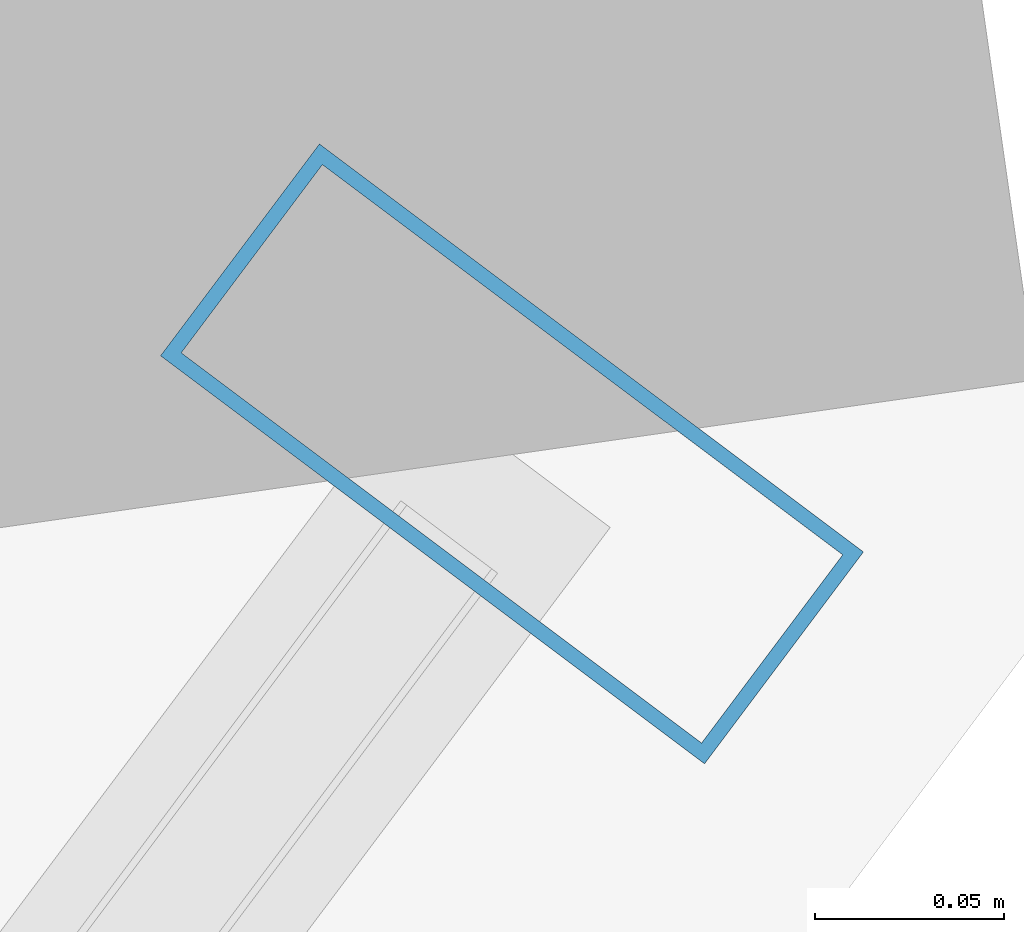
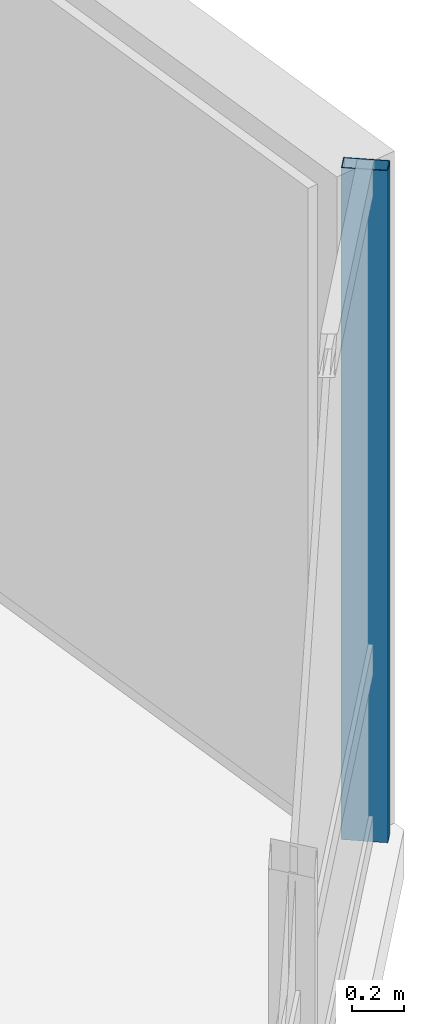
# One storey, part 12 of 31: 1 member, 1 element without a shape of its own.
"""IFC4 building model written with IfcOpenShell, lengths in metres."""

from ifc_helpers import new_model, si_unit, direction, frame, origin, origin_2d, place, context, subcontext, project, spatial, hollow_rectangle, extrude, material, layer, layer_set, material_profile, profile_set, type_object, element, aggregate, save


model = new_model("IFC4")

# Units and contexts
model_context = context("Model", 3, precision=1e-05, world=origin(), true_north=direction((0.0, 1.0)))
body_context = subcontext(model_context, "Body", "Model", "MODEL_VIEW")
ifc_project = project(units=[si_unit("LENGTHUNIT", "METRE"), si_unit("AREAUNIT", "SQUARE_METRE"), si_unit("VOLUMEUNIT", "CUBIC_METRE"), si_unit("PLANEANGLEUNIT", "RADIAN"), si_unit("MASSUNIT", "GRAM", prefix="KILO")], contexts=[model_context])

# Site, building, storey
site_placement = place(None, origin())
site = spatial("IfcSite", under=ifc_project, at=site_placement, CompositionType="ELEMENT")
building_placement = place(site_placement, origin())
building = spatial("IfcBuilding", under=site, at=building_placement, Name="Hatsunagi Terrace Concourse", CompositionType="ELEMENT")
storey_placement = place(building_placement, frame((0.0, 0.0, 77.949951171875)))
storey = spatial("IfcBuildingStorey", under=building, at=storey_placement, Name="L20", CompositionType="ELEMENT", Elevation=77.949951171875)

# Curtain wall, member
ifc_material_1 = material(Name="Anodised Aluminium Alloy 6063-T5", Category="aluminium")
ifc_layer = layer(ifc_material_1, 0.199951171875)
ifc_layer_set = layer_set([ifc_layer], Name="HotelFacade_CW02")
curtain_wall_type = type_object("IfcCurtainWallType", Name="HotelFacade_CW02", PredefinedType="NOTDEFINED", material=ifc_layer_set)
curtain_wall_placement = place(storey_placement, origin())
curtain_wall = element("IfcCurtainWall", 1, at=curtain_wall_placement, inside=storey, type_object=curtain_wall_type, Name="Unitised Curtain Wall CW-02 CW-L20-03", PredefinedType="NOTDEFINED")
ifc_material_2 = material(Name="Anodised Aluminium Alloy 6063-T5", Category="aluminium")
ifc_material_profile = material_profile(ifc_material_2, hollow_rectangle(XDim=0.070068359375, YDim=0.179931640625, WallThickness=0.00390625, at=origin_2d()), Name="ALU-MUL-180x70x4")
ifc_profile_set = profile_set([ifc_material_profile], Name="Anodised Aluminium Alloy 6063-T5")
member_type = type_object("IfcMemberType", Name="CurtainWallMullion_180x70", PredefinedType="MULLION", material=ifc_profile_set)
member_placement = place(storey_placement, frame((69.093017578125, 19.657958984375, 0.0), z_axis=(0.0, 0.0, 1.0), x_axis=(-0.599969314634, -0.800023013105, 0.0)))
member = element("IfcMember", 2, at=member_placement, type_object=member_type, Name="Curtain Wall Mullion MUL-02", PredefinedType="MULLION", context=body_context, shape_type="SweptSolid", body=[
    extrude(hollow_rectangle(XDim=0.070068359375, YDim=0.179931640625, WallThickness=0.00390625, at=origin_2d()), origin(), (0.0, 0.0, 1.0), 3.130126953125),
])
aggregate(curtain_wall, [member])

save(model, "model.ifc")
